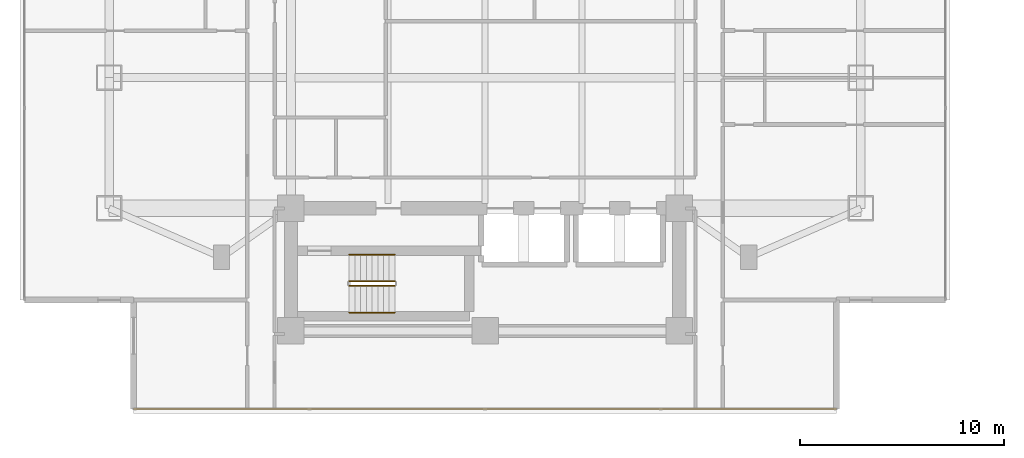
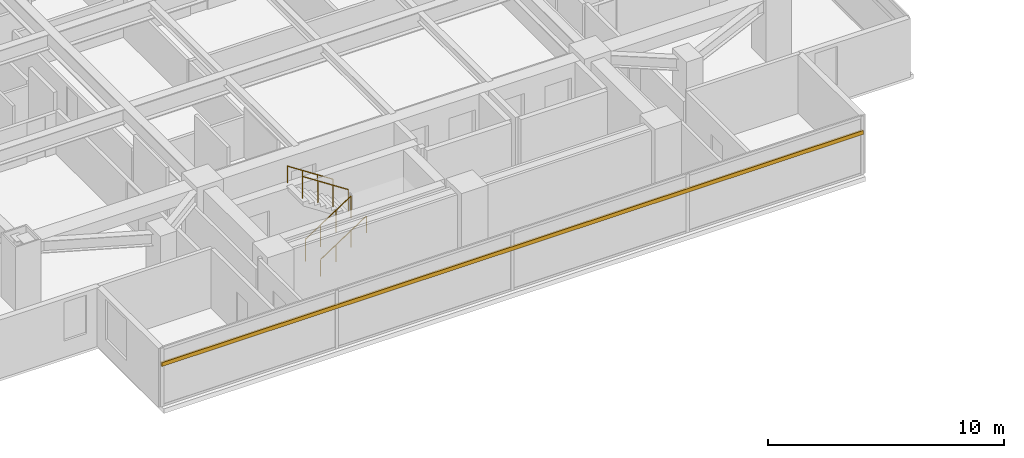
# One storey, part 23 of 27: 4 railings, 1 shading device.
"""IFC4 building model written with IfcOpenShell, lengths in metres."""

from ifc_helpers import new_model, si_unit, direction, frame, origin, origin_2d, place, context, subcontext, project, spatial, rectangle, circle, extrude, material, material_profile, profile_set, type_object, element, save


model = new_model("IFC4")

# Units and contexts
model_context = context("Model", 3, precision=1e-05, world=origin(), true_north=direction((0.0, 1.0)))
body_context = subcontext(model_context, "Body", "Model", "MODEL_VIEW")
ifc_project = project(units=[si_unit("LENGTHUNIT", "METRE"), si_unit("AREAUNIT", "SQUARE_METRE"), si_unit("VOLUMEUNIT", "CUBIC_METRE"), si_unit("PLANEANGLEUNIT", "RADIAN"), si_unit("MASSUNIT", "GRAM", prefix="KILO")], contexts=[model_context])

# Site, building, storey
site_placement = place(None, origin())
site = spatial("IfcSite", under=ifc_project, at=site_placement, CompositionType="ELEMENT")
building_placement = place(site_placement, origin())
building = spatial("IfcBuilding", under=site, at=building_placement, Name="Mirazonda Arch Towers", CompositionType="ELEMENT")
storey_placement = place(building_placement, frame((0.0, 0.0, 75.199951171875)))
storey = spatial("IfcBuildingStorey", under=building, at=storey_placement, Name="L21", CompositionType="ELEMENT", Elevation=75.199951171875)

# Shading device
ifc_material_1 = material(Name="Kiln-Fired Architectural Terracotta", Category="masonry")
ifc_material_profile = material_profile(ifc_material_1, rectangle(XDim=0.10009765625, YDim=0.199951171875, at=origin_2d()), Name="TERRA-BAG-100x200")
ifc_profile_set = profile_set([ifc_material_profile], Name="Kiln-Fired Architectural Terracotta")
shading_device_type = type_object("IfcShadingDeviceType", Name="BAGUETTE-2", PredefinedType="USERDEFINED", material=ifc_profile_set)
shading_device_placement = place(storey_placement, frame((37.699951171875, 8.573974609375, 2.18896484375), z_axis=(-1.0, 0.0, 0.0), x_axis=(0.0, -1.0, 0.0)))
element("IfcShadingDevice", 1, at=shading_device_placement, inside=storey, type_object=shading_device_type, Name="L21 Glazed Terracotta Sun-Screen Baguette CW-L21-T1-S", ObjectType="BAGUETTE", PredefinedType="USERDEFINED", context=body_context, shape_type="SweptSolid", body=[
    extrude(rectangle(XDim=0.10009765625, YDim=0.199951171875, at=origin_2d()), origin(), (0.0, 0.0, 1.0), 34.39990234375),
])

# Railings
ifc_material_2 = material(Name="Architectural Brushed Steel S355", Category="steel")
railing_type_1 = type_object("IfcRailingType", Name="GUARD-STAIR-1120", PredefinedType="GUARDRAIL", material=ifc_material_2)
railing_1_placement = place(storey_placement, frame((13.85009765625, 14.60009765625, 0.183349609375)))
element("IfcRailing", 2, at=railing_1_placement, inside=storey, type_object=railing_type_1, Name="L21 ST-T1S stair guard 1", PredefinedType="GUARDRAIL", context=body_context, shape_type="SweptSolid", body=[
    extrude(circle(Radius=0.02392578125, at=origin_2d()), frame((0.0, 0.0, 1.1259765625), z_axis=(0.836595146698, 0.0, 0.547821650285), x_axis=(0.0, 1.0, 0.0)), (0.0, 0.0, 1.0), 2.677490234375),
    extrude(circle(Radius=0.02099609375, at=origin_2d()), origin(), (0.0, 0.0, 1.0), 1.101806640625),
    extrude(circle(Radius=0.02099609375, at=origin_2d()), frame((0.74658203125, 0.0, 0.489013671875)), (0.0, 0.0, 1.0), 1.101806640625),
    extrude(circle(Radius=0.02099609375, at=origin_2d()), frame((1.493408203125, 0.0, 0.977783203125)), (0.0, 0.0, 1.0), 1.101806640625),
    extrude(circle(Radius=0.02099609375, at=origin_2d()), frame((2.239990234375, 0.0, 1.466796875)), (0.0, 0.0, 1.0), 1.101806640625),
])
railing_2_placement = place(storey_placement, frame((16.090087890625, 14.840087890625, 1.83349609375)))
element("IfcRailing", 3, at=railing_2_placement, inside=storey, type_object=railing_type_1, Name="L21 ST-T1S stair guard 3", PredefinedType="GUARDRAIL", context=body_context, shape_type="SweptSolid", body=[
    extrude(circle(Radius=0.02392578125, at=origin_2d()), frame((0.0, 0.0, 1.1259765625), z_axis=(-0.836636935527, 0.0, 0.547757827979), x_axis=(0.0, -1.0, 0.0)), (0.0, 0.0, 1.0), 2.677490234375),
    extrude(circle(Radius=0.02099609375, at=origin_2d()), origin(), (0.0, 0.0, 1.0), 1.101806640625),
    extrude(circle(Radius=0.02099609375, at=origin_2d()), frame((-0.74658203125, 0.0, 0.48876953125)), (0.0, 0.0, 1.0), 1.101806640625),
    extrude(circle(Radius=0.02099609375, at=origin_2d()), frame((-1.493408203125, 0.0, 0.977783203125)), (0.0, 0.0, 1.0), 1.101806640625),
    extrude(circle(Radius=0.02099609375, at=origin_2d()), frame((-2.239990234375, 0.0, 1.466552734375)), (0.0, 0.0, 1.0), 1.101806640625),
])
railing_type_2 = type_object("IfcRailingType", Name="HANDRAIL-915", PredefinedType="HANDRAIL", material=ifc_material_2)
railing_3_placement = place(storey_placement, frame((13.85009765625, 13.300048828125, 0.183349609375)))
element("IfcRailing", 4, at=railing_3_placement, inside=storey, type_object=railing_type_2, Name="L21 ST-T1S stair handrail 1", PredefinedType="HANDRAIL", context=body_context, shape_type="SweptSolid", body=[
    extrude(circle(Radius=0.02392578125, at=origin_2d()), frame((0.0, 0.0, 0.8759765625), z_axis=(0.836595146698, 0.0, 0.547821650285), x_axis=(0.0, 1.0, 0.0)), (0.0, 0.0, 1.0), 2.677490234375),
    extrude(circle(Radius=0.02099609375, at=origin_2d()), origin(), (0.0, 0.0, 1.0), 0.851806640625),
    extrude(circle(Radius=0.02099609375, at=origin_2d()), frame((0.74658203125, 0.0, 0.489013671875)), (0.0, 0.0, 1.0), 0.851806640625),
    extrude(circle(Radius=0.02099609375, at=origin_2d()), frame((1.493408203125, 0.0, 0.977783203125)), (0.0, 0.0, 1.0), 0.851806640625),
    extrude(circle(Radius=0.02099609375, at=origin_2d()), frame((2.239990234375, 0.0, 1.466796875)), (0.0, 0.0, 1.0), 0.851806640625),
])
railing_4_placement = place(storey_placement, frame((16.090087890625, 16.139892578125, 1.83349609375)))
element("IfcRailing", 5, at=railing_4_placement, inside=storey, type_object=railing_type_2, Name="L21 ST-T1S stair handrail 2", PredefinedType="HANDRAIL", context=body_context, shape_type="SweptSolid", body=[
    extrude(circle(Radius=0.02392578125, at=origin_2d()), frame((0.0, 0.0, 0.8759765625), z_axis=(-0.836636935527, 0.0, 0.547757827979), x_axis=(0.0, -1.0, 0.0)), (0.0, 0.0, 1.0), 2.677490234375),
    extrude(circle(Radius=0.02099609375, at=origin_2d()), origin(), (0.0, 0.0, 1.0), 0.851806640625),
    extrude(circle(Radius=0.02099609375, at=origin_2d()), frame((-0.74658203125, 0.0, 0.48876953125)), (0.0, 0.0, 1.0), 0.851806640625),
    extrude(circle(Radius=0.02099609375, at=origin_2d()), frame((-1.493408203125, 0.0, 0.977783203125)), (0.0, 0.0, 1.0), 0.851806640625),
    extrude(circle(Radius=0.02099609375, at=origin_2d()), frame((-2.239990234375, 0.0, 1.466552734375)), (0.0, 0.0, 1.0), 0.851806640625),
])

save(model, "model.ifc")
